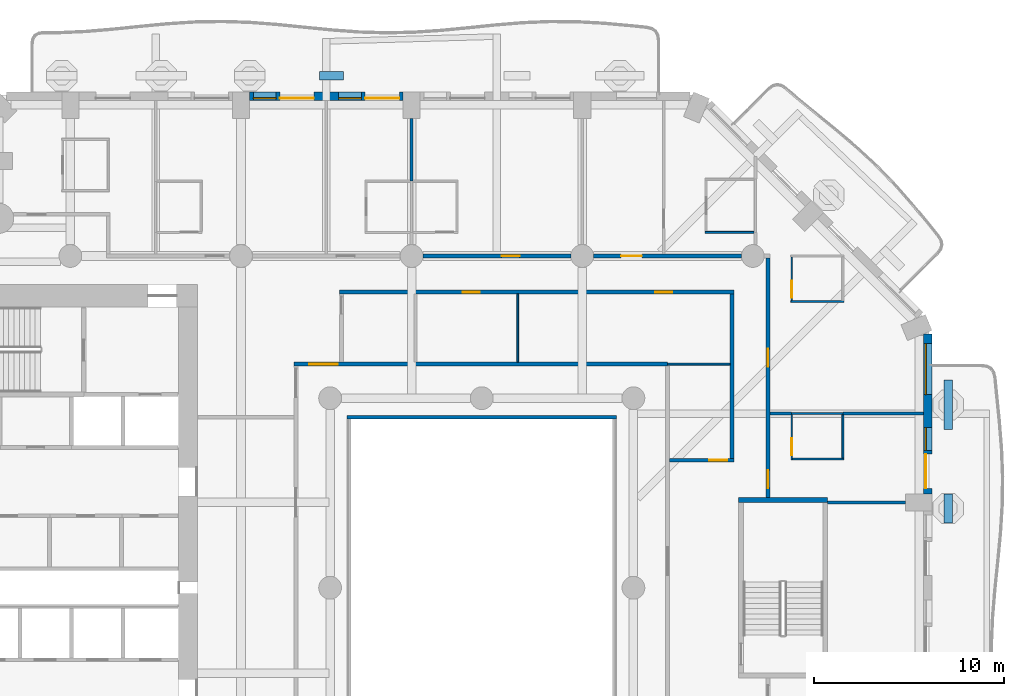
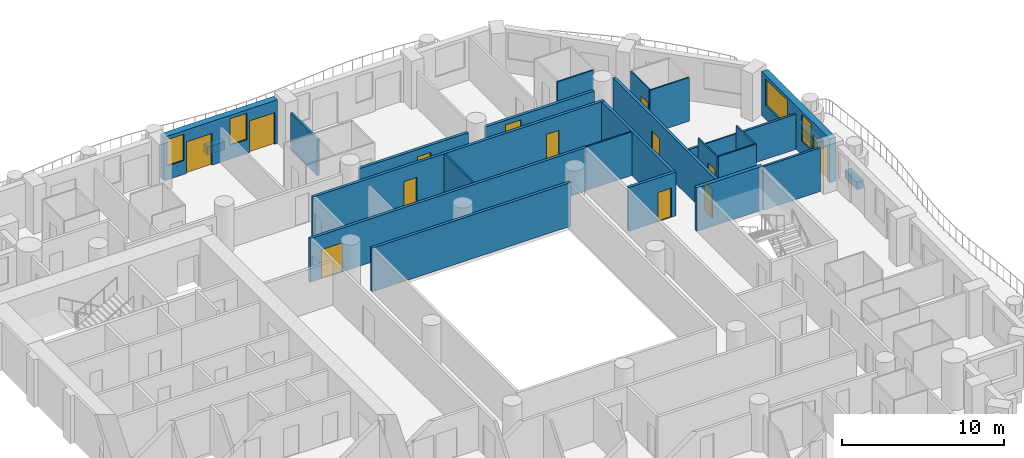
# One storey, part 9 of 20: 27 walls, 13 doors, 4 windows, 17 openings.
"""IFC4 building model written with IfcOpenShell, lengths in metres."""

from ifc_helpers import new_model, si_unit, direction, frame, frame_2d, origin, place, context, subcontext, project, spatial, rectangle, extrude, material, layer, layer_set, type_object, element, fill, save


model = new_model("IFC4")

# Units and contexts
model_context = context("Model", 3, precision=1e-05, world=origin(), true_north=direction((0.0, 1.0)))
body_context = subcontext(model_context, "Body", "Model", "MODEL_VIEW")
ifc_project = project(units=[si_unit("LENGTHUNIT", "METRE"), si_unit("AREAUNIT", "SQUARE_METRE"), si_unit("VOLUMEUNIT", "CUBIC_METRE"), si_unit("PLANEANGLEUNIT", "RADIAN"), si_unit("MASSUNIT", "GRAM", prefix="KILO")], contexts=[model_context])

# Site, building, storey
site_placement = place(None, origin())
site = spatial("IfcSite", under=ifc_project, at=site_placement, CompositionType="ELEMENT")
building_placement = place(site_placement, origin())
building = spatial("IfcBuilding", under=site, at=building_placement, Name="Cypress Arch Tower", CompositionType="ELEMENT")
storey_placement = place(building_placement, frame((0.0, 0.0, 91.5)))
storey = spatial("IfcBuildingStorey", under=building, at=storey_placement, Name="L17", CompositionType="ELEMENT", Elevation=91.5)

# Walls
ifc_material_1 = material(Name="Concrete C40/50, waterproofed", Category="concrete")
ifc_layer_1 = layer(ifc_material_1, 0.449951171875)
ifc_layer_set_1 = layer_set([ifc_layer_1], Name="Balcony planter wall PW450")
wall_type_1 = type_object("IfcWallType", Name="Balcony planter wall PW450", PredefinedType="SOLIDWALL", material=ifc_layer_set_1)
wall_1_placement = place(storey_placement, frame((25.60009765625, 3.42138671875, 0.0), z_axis=(0.0, 0.0, 1.0), x_axis=(0.0, 1.0, 0.0)))
element("IfcWall", 1, at=wall_1_placement, inside=storey, type_object=wall_type_1, Name="Balcony planter wall L17-A06.2", PredefinedType="SOLIDWALL", context=body_context, shape_type="SweptSolid", body=[
    extrude(rectangle(XDim=1.5224609375, YDim=0.449951171875, at=frame_2d((0.76123046875, 0.0))), origin(), (0.0, 0.0, 1.0), 0.60009765625),
])
wall_2_placement = place(storey_placement, frame((25.60009765625, 8.335693359375, 0.0), z_axis=(0.0, 0.0, 1.0), x_axis=(0.0, 1.0, 0.0)))
element("IfcWall", 2, at=wall_2_placement, inside=storey, type_object=wall_type_1, Name="Balcony planter wall L17-A06.3", PredefinedType="SOLIDWALL", context=body_context, shape_type="SweptSolid", body=[
    extrude(rectangle(XDim=2.6142578125, YDim=0.449951171875, at=frame_2d((1.30712890625, 0.0))), origin(), (0.0, 0.0, 1.0), 0.60009765625),
])
wall_3_placement = place(storey_placement, frame((-6.300048828125, 27.0, 0.0), z_axis=(0.0, 0.0, 1.0), x_axis=(-1.0, 0.0, 0.0)))
element("IfcWall", 3, at=wall_3_placement, inside=storey, type_object=wall_type_1, Name="Balcony planter wall L17-A08.3", PredefinedType="SOLIDWALL", context=body_context, shape_type="SweptSolid", body=[
    extrude(rectangle(XDim=1.25, YDim=0.449951171875, at=frame_2d((0.625, 0.0))), origin(), (0.0, 0.0, 1.0), 0.60009765625),
])

# Wall, openings, door, windows
ifc_material_2 = material(Name="Brick (red buff blend)", Category="masonry")
ifc_layer_2 = layer(ifc_material_2, 0.449951171875)
ifc_layer_set_2 = layer_set([ifc_layer_2], Name="Brick pier and spandrel wall BW450")
wall_type_2 = type_object("IfcWallType", Name="Brick pier and spandrel wall BW450", PredefinedType="SOLIDWALL", material=ifc_layer_set_2)
wall_4_placement = place(storey_placement, frame((24.52490234375, 4.949951171875, 0.0), z_axis=(0.0, 0.0, 1.0), x_axis=(0.0, 1.0, 0.0)))
wall_4 = element("IfcWall", 4, at=wall_4_placement, inside=storey, type_object=wall_type_2, Name="Brick wall L17 A06.3", PredefinedType="SOLIDWALL", context=body_context, shape_type="SweptSolid", body=[
    extrude(rectangle(XDim=8.438720703125, YDim=0.449951171875, at=frame_2d((4.21923828125, 0.0))), origin(), (0.0, 0.0, 1.0), 3.300048828125),
])
opening_1_placement = place(wall_4_placement, frame((0.2939453125, 0.0, 0.0)))
opening_1 = element("IfcOpeningElement", 5, at=opening_1_placement, cuts=wall_4, Name="Opening D-L17-A06.3.1", PredefinedType="OPENING", context=body_context, shape_type="SweptSolid", body=[
    extrude(rectangle(XDim=1.800048828125, YDim=2.39990234375, at=frame_2d((0.89990234375, 1.199951171875))), frame((0.0, 0.23486328125, 0.0), z_axis=(0.0, -1.0, 0.0), x_axis=(1.0, 0.0, 0.0)), (0.0, 0.0, 1.0), 0.469970703125),
])
opening_2_placement = place(wall_4_placement, frame((2.2939453125, 0.0, 1.050048828125)))
opening_2 = element("IfcOpeningElement", 6, at=opening_2_placement, cuts=wall_4, Name="Opening W120HD", PredefinedType="OPENING", context=body_context, shape_type="SweptSolid", body=[
    extrude(rectangle(XDim=1.199951171875, YDim=2.0, at=frame_2d((0.60009765625, 1.0))), frame((0.0, 0.23486328125, 0.0), z_axis=(0.0, -1.0, 0.0), x_axis=(1.0, 0.0, 0.0)), (0.0, 0.0, 1.0), 0.469970703125),
])
opening_3_placement = place(wall_4_placement, frame((5.231689453125, 0.0, 1.050048828125)))
opening_3 = element("IfcOpeningElement", 7, at=opening_3_placement, cuts=wall_4, Name="Opening W270HD", PredefinedType="OPENING", context=body_context, shape_type="SweptSolid", body=[
    extrude(rectangle(XDim=2.699951171875, YDim=2.0, at=frame_2d((1.35009765625, 1.0))), frame((0.0, 0.23486328125, 0.0), z_axis=(0.0, -1.0, 0.0), x_axis=(1.0, 0.0, 0.0)), (0.0, 0.0, 1.0), 0.469970703125),
])
ifc_material_3 = material(Name="Anodised aluminium, bronze finish, laminated low-emissivity double glazing, large-missile impact rated", Category="aluminium")
door_type_1 = type_object("IfcDoorType", Name="Balcony sliding door 1800x2400", OperationType="SLIDING_TO_LEFT", PredefinedType="DOOR", material=ifc_material_3)
door_1_placement = place(opening_1_placement, origin())
door_1 = element("IfcDoor", 8, at=door_1_placement, inside=storey, type_object=door_type_1, Name="Balcony door L17 A06.3.1", OperationType="SLIDING_TO_LEFT", OverallHeight=2.39990234375, OverallWidth=1.800048828125, PredefinedType="DOOR", context=body_context, shape_type="SweptSolid", body=[
    extrude(rectangle(XDim=1.800048828125, YDim=2.39990234375, at=frame_2d((0.89990234375, 1.199951171875))), frame((0.0, 0.1298828125, 0.0), z_axis=(0.0, -1.0, 0.0), x_axis=(1.0, 0.0, 0.0)), (0.0, 0.0, 1.0), 0.050048828125),
])
fill(opening_1, door_1)
ifc_material_4 = material(Name="Anodised aluminium, bronze finish, laminated low-emissivity double glazing, large-missile impact rated", Category="aluminium")
window_type_1 = type_object("IfcWindowType", Name="Window Hotel 1200x2000 debris-rated", PartitioningType="SINGLE_PANEL", PredefinedType="WINDOW", material=ifc_material_4)
window_1_placement = place(opening_2_placement, origin())
window_1 = element("IfcWindow", 9, at=window_1_placement, inside=storey, type_object=window_type_1, Name="Window L17 A06.3.1", OverallHeight=2.0, OverallWidth=1.199951171875, PartitioningType="SINGLE_PANEL", PredefinedType="WINDOW", context=body_context, shape_type="SweptSolid", body=[
    extrude(rectangle(XDim=1.199951171875, YDim=2.0, at=frame_2d((0.60009765625, 1.0))), frame((0.0, 0.135009765625, 0.0), z_axis=(0.0, -1.0, 0.0), x_axis=(1.0, 0.0, 0.0)), (0.0, 0.0, 1.0), 0.06005859375),
])
fill(opening_2, window_1)
ifc_material_5 = material(Name="Anodised aluminium, bronze finish, laminated low-emissivity double glazing, large-missile impact rated", Category="aluminium")
window_type_2 = type_object("IfcWindowType", Name="Window Hotel 2700x2000 debris-rated", PartitioningType="SINGLE_PANEL", PredefinedType="WINDOW", material=ifc_material_5)
window_2_placement = place(opening_3_placement, origin())
window_2 = element("IfcWindow", 10, at=window_2_placement, inside=storey, type_object=window_type_2, Name="Window L17 A06.3.2", OverallHeight=2.0, OverallWidth=2.699951171875, PartitioningType="SINGLE_PANEL", PredefinedType="WINDOW", context=body_context, shape_type="SweptSolid", body=[
    extrude(rectangle(XDim=2.699951171875, YDim=2.0, at=frame_2d((1.35009765625, 1.0))), frame((0.0, 0.135009765625, 0.0), z_axis=(0.0, -1.0, 0.0), x_axis=(1.0, 0.0, 0.0)), (0.0, 0.0, 1.0), 0.06005859375),
])
fill(opening_3, window_2)

# Wall, openings, doors, windows
wall_5_placement = place(storey_placement, frame((-3.14990234375, 25.925048828125, 0.0), z_axis=(0.0, 0.0, 1.0), x_axis=(-1.0, 0.0, 0.0)))
wall_5 = element("IfcWall", 11, at=wall_5_placement, inside=storey, type_object=wall_type_2, Name="Brick wall L17 A08.2", PredefinedType="SOLIDWALL", context=body_context, shape_type="SweptSolid", body=[
    extrude(rectangle(XDim=8.10009765625, YDim=0.449951171875, at=frame_2d((4.050048828125, 0.0))), origin(), (0.0, 0.0, 1.0), 3.300048828125),
])
opening_4_placement = place(wall_5_placement, frame((0.199951171875, 0.0, 0.0)))
opening_4 = element("IfcOpeningElement", 12, at=opening_4_placement, cuts=wall_5, Name="Opening D-L17-A08.2.1", PredefinedType="OPENING", context=body_context, shape_type="SweptSolid", body=[
    extrude(rectangle(XDim=1.800048828125, YDim=2.39990234375, at=frame_2d((0.89990234375, 1.199951171875))), frame((0.0, 0.23486328125, 0.0), z_axis=(0.0, -1.0, 0.0), x_axis=(1.0, 0.0, 0.0)), (0.0, 0.0, 1.0), 0.469970703125),
])
opening_5_placement = place(wall_5_placement, frame((2.199951171875, 0.0, 1.050048828125)))
opening_5 = element("IfcOpeningElement", 13, at=opening_5_placement, cuts=wall_5, Name="Opening W120HD", PredefinedType="OPENING", context=body_context, shape_type="SweptSolid", body=[
    extrude(rectangle(XDim=1.199951171875, YDim=2.0, at=frame_2d((0.60009765625, 1.0))), frame((0.0, 0.23486328125, 0.0), z_axis=(0.0, -1.0, 0.0), x_axis=(1.0, 0.0, 0.0)), (0.0, 0.0, 1.0), 0.469970703125),
])
opening_6_placement = place(wall_5_placement, frame((4.699951171875, 0.0, 0.0)))
opening_6 = element("IfcOpeningElement", 14, at=opening_6_placement, cuts=wall_5, Name="Opening D-L17-A08.2.2", PredefinedType="OPENING", context=body_context, shape_type="SweptSolid", body=[
    extrude(rectangle(XDim=1.800048828125, YDim=2.39990234375, at=frame_2d((0.89990234375, 1.199951171875))), frame((0.0, 0.23486328125, 0.0), z_axis=(0.0, -1.0, 0.0), x_axis=(1.0, 0.0, 0.0)), (0.0, 0.0, 1.0), 0.469970703125),
])
opening_7_placement = place(wall_5_placement, frame((6.699951171875, 0.0, 1.050048828125)))
opening_7 = element("IfcOpeningElement", 15, at=opening_7_placement, cuts=wall_5, Name="Opening W120HD", PredefinedType="OPENING", context=body_context, shape_type="SweptSolid", body=[
    extrude(rectangle(XDim=1.199951171875, YDim=2.0, at=frame_2d((0.60009765625, 1.0))), frame((0.0, 0.23486328125, 0.0), z_axis=(0.0, -1.0, 0.0), x_axis=(1.0, 0.0, 0.0)), (0.0, 0.0, 1.0), 0.469970703125),
])
door_2_placement = place(opening_4_placement, origin())
door_2 = element("IfcDoor", 16, at=door_2_placement, inside=storey, type_object=door_type_1, Name="Balcony door L17 A08.2.1", OperationType="SLIDING_TO_LEFT", OverallHeight=2.39990234375, OverallWidth=1.800048828125, PredefinedType="DOOR", context=body_context, shape_type="SweptSolid", body=[
    extrude(rectangle(XDim=1.800048828125, YDim=2.39990234375, at=frame_2d((0.89990234375, 1.199951171875))), frame((0.0, 0.1298828125, 0.0), z_axis=(0.0, -1.0, 0.0), x_axis=(1.0, 0.0, 0.0)), (0.0, 0.0, 1.0), 0.050048828125),
])
fill(opening_4, door_2)
door_3_placement = place(opening_6_placement, origin())
door_3 = element("IfcDoor", 17, at=door_3_placement, inside=storey, type_object=door_type_1, Name="Balcony door L17 A08.2.2", OperationType="SLIDING_TO_LEFT", OverallHeight=2.39990234375, OverallWidth=1.800048828125, PredefinedType="DOOR", context=body_context, shape_type="SweptSolid", body=[
    extrude(rectangle(XDim=1.800048828125, YDim=2.39990234375, at=frame_2d((0.89990234375, 1.199951171875))), frame((0.0, 0.1298828125, 0.0), z_axis=(0.0, -1.0, 0.0), x_axis=(1.0, 0.0, 0.0)), (0.0, 0.0, 1.0), 0.050048828125),
])
fill(opening_6, door_3)
window_3_placement = place(opening_5_placement, origin())
window_3 = element("IfcWindow", 18, at=window_3_placement, inside=storey, type_object=window_type_1, Name="Window L17 A08.2.1", OverallHeight=2.0, OverallWidth=1.199951171875, PartitioningType="SINGLE_PANEL", PredefinedType="WINDOW", context=body_context, shape_type="SweptSolid", body=[
    extrude(rectangle(XDim=1.199951171875, YDim=2.0, at=frame_2d((0.60009765625, 1.0))), frame((0.0, 0.135009765625, 0.0), z_axis=(0.0, -1.0, 0.0), x_axis=(1.0, 0.0, 0.0)), (0.0, 0.0, 1.0), 0.06005859375),
])
fill(opening_5, window_3)
window_4_placement = place(opening_7_placement, origin())
window_4 = element("IfcWindow", 19, at=window_4_placement, inside=storey, type_object=window_type_1, Name="Window L17 A08.2.2", OverallHeight=2.0, OverallWidth=1.199951171875, PartitioningType="SINGLE_PANEL", PredefinedType="WINDOW", context=body_context, shape_type="SweptSolid", body=[
    extrude(rectangle(XDim=1.199951171875, YDim=2.0, at=frame_2d((0.60009765625, 1.0))), frame((0.0, 0.135009765625, 0.0), z_axis=(0.0, -1.0, 0.0), x_axis=(1.0, 0.0, 0.0)), (0.0, 0.0, 1.0), 0.06005859375),
])
fill(opening_7, window_4)

# Wall, opening, door
ifc_material_6 = material(Name="Concrete blockwork, plastered, rated", Category="masonry")
ifc_layer_3 = layer(ifc_material_6, 0.199951171875)
ifc_layer_set_3 = layer_set([ifc_layer_3], Name="Corridor wall FW200")
wall_type_3 = type_object("IfcWallType", Name="Corridor wall FW200", PredefinedType="PARTITIONING", material=ifc_layer_set_3)
wall_6_placement = place(storey_placement, frame((-2.10009765625, 17.5, 0.0), z_axis=(0.0, 0.0, 1.0), x_axis=(1.0, 0.0, 0.0)))
wall_6 = element("IfcWall", 20, at=wall_6_placement, inside=storey, type_object=wall_type_3, Name="Corridor wall", PredefinedType="PARTITIONING", context=body_context, shape_type="SweptSolid", body=[
    extrude(rectangle(XDim=7.800048828125, YDim=0.199951171875, at=frame_2d((3.89990234375, 0.0))), origin(), (0.0, 0.0, 1.0), 2.75),
])
opening_8_placement = place(wall_6_placement, frame((4.14990234375, 0.0, 0.0)))
opening_8 = element("IfcOpeningElement", 21, at=opening_8_placement, cuts=wall_6, Name="Opening D02", PredefinedType="OPENING", context=body_context, shape_type="SweptSolid", body=[
    extrude(rectangle(XDim=0.949951171875, YDim=2.199951171875, at=frame_2d((0.47509765625, 1.10009765625))), frame((0.0, 0.10986328125, 0.0), z_axis=(0.0, -1.0, 0.0), x_axis=(1.0, 0.0, 0.0)), (0.0, 0.0, 1.0), 0.219970703125),
])
ifc_material_7 = material(Name="Timber flush door, fire resisting", Category="wood")
door_type_2 = type_object("IfcDoorType", Name="Room door D02 950x2200", OperationType="SINGLE_SWING_LEFT", PredefinedType="DOOR", material=ifc_material_7)
door_4_placement = place(opening_8_placement, origin())
door_4 = element("IfcDoor", 22, at=door_4_placement, inside=storey, type_object=door_type_2, Name="Room door", OperationType="SINGLE_SWING_RIGHT", OverallHeight=2.199951171875, OverallWidth=0.949951171875, PredefinedType="DOOR", context=body_context, shape_type="SweptSolid", body=[
    extrude(rectangle(XDim=0.949951171875, YDim=2.199951171875, at=frame_2d((0.47509765625, 1.10009765625))), frame((0.0, 0.02490234375, 0.0), z_axis=(0.0, -1.0, 0.0), x_axis=(1.0, 0.0, 0.0)), (0.0, 0.0, 1.0), 0.050048828125),
])
fill(opening_8, door_4)

wall_7_placement = place(storey_placement, frame((6.89990234375, 17.5, 0.0), z_axis=(0.0, 0.0, 1.0), x_axis=(1.0, 0.0, 0.0)))
wall_7 = element("IfcWall", 23, at=wall_7_placement, inside=storey, type_object=wall_type_3, Name="Corridor wall", PredefinedType="PARTITIONING", context=body_context, shape_type="SweptSolid", body=[
    extrude(rectangle(XDim=7.800048828125, YDim=0.199951171875, at=frame_2d((3.89990234375, 0.0))), origin(), (0.0, 0.0, 1.0), 2.75),
])
opening_9_placement = place(wall_7_placement, frame((1.449951171875, 0.0, 0.0)))
opening_9 = element("IfcOpeningElement", 24, at=opening_9_placement, cuts=wall_7, Name="Opening D01", PredefinedType="OPENING", context=body_context, shape_type="SweptSolid", body=[
    extrude(rectangle(XDim=1.10009765625, YDim=2.39990234375, at=frame_2d((0.550048828125, 1.199951171875))), frame((0.0, 0.10986328125, 0.0), z_axis=(0.0, -1.0, 0.0), x_axis=(1.0, 0.0, 0.0)), (0.0, 0.0, 1.0), 0.219970703125),
])
ifc_material_8 = material(Name="Timber flush door, fire resisting, self-closing", Category="wood")
door_type_3 = type_object("IfcDoorType", Name="Unit entrance door D01 1100x2400", OperationType="SINGLE_SWING_LEFT", PredefinedType="DOOR", material=ifc_material_8)
door_5_placement = place(opening_9_placement, origin())
door_5 = element("IfcDoor", 25, at=door_5_placement, inside=storey, type_object=door_type_3, Name="Unit entrance door", OperationType="SINGLE_SWING_RIGHT", OverallHeight=2.39990234375, OverallWidth=1.10009765625, PredefinedType="DOOR", context=body_context, shape_type="SweptSolid", body=[
    extrude(rectangle(XDim=1.10009765625, YDim=2.39990234375, at=frame_2d((0.550048828125, 1.199951171875))), frame((0.0, 0.02490234375, 0.0), z_axis=(0.0, -1.0, 0.0), x_axis=(1.0, 0.0, 0.0)), (0.0, 0.0, 1.0), 0.050048828125),
])
fill(opening_9, door_5)

wall_8_placement = place(storey_placement, frame((-8.89990234375, 11.800048828125, 0.0), z_axis=(0.0, 0.0, 1.0), x_axis=(1.0, 0.0, 0.0)))
wall_8 = element("IfcWall", 26, at=wall_8_placement, inside=storey, type_object=wall_type_3, Name="Corridor wall", PredefinedType="PARTITIONING", context=body_context, shape_type="SweptSolid", body=[
    extrude(rectangle(XDim=19.699951171875, YDim=0.199951171875, at=frame_2d((9.85009765625, 0.0))), origin(), (0.0, 0.0, 1.0), 3.300048828125),
])
opening_10_placement = place(wall_8_placement, frame((0.800048828125, 0.0, 0.0)))
opening_10 = element("IfcOpeningElement", 27, at=opening_10_placement, cuts=wall_8, Name="Opening D04", PredefinedType="OPENING", context=body_context, shape_type="SweptSolid", body=[
    extrude(rectangle(XDim=1.5, YDim=2.199951171875, at=frame_2d((0.75, 1.10009765625))), frame((0.0, 0.10986328125, 0.0), z_axis=(0.0, -1.0, 0.0), x_axis=(1.0, 0.0, 0.0)), (0.0, 0.0, 1.0), 0.219970703125),
])
ifc_material_9 = material(Name="Timber double door", Category="wood")
door_type_4 = type_object("IfcDoorType", Name="Double door D04 1500x2200", OperationType="DOUBLE_DOOR_SINGLE_SWING", PredefinedType="DOOR", material=ifc_material_9)
door_6_placement = place(opening_10_placement, origin())
door_6 = element("IfcDoor", 28, at=door_6_placement, inside=storey, type_object=door_type_4, Name="Double door", OperationType="DOUBLE_DOOR_SINGLE_SWING", OverallHeight=2.199951171875, OverallWidth=1.5, PredefinedType="DOOR", context=body_context, shape_type="SweptSolid", body=[
    extrude(rectangle(XDim=1.5, YDim=2.199951171875, at=frame_2d((0.75, 1.10009765625))), frame((0.0, 0.02490234375, 0.0), z_axis=(0.0, -1.0, 0.0), x_axis=(1.0, 0.0, 0.0)), (0.0, 0.0, 1.0), 0.050048828125),
])
fill(opening_10, door_6)

# Wall, openings, doors
wall_9_placement = place(storey_placement, frame((-6.5, 15.60009765625, 0.0), z_axis=(0.0, 0.0, 1.0), x_axis=(1.0, 0.0, 0.0)))
wall_9 = element("IfcWall", 29, at=wall_9_placement, inside=storey, type_object=wall_type_3, Name="Corridor wall", PredefinedType="PARTITIONING", context=body_context, shape_type="SweptSolid", body=[
    extrude(rectangle(XDim=20.800048828125, YDim=0.199951171875, at=frame_2d((10.39990234375, 0.0))), origin(), (0.0, 0.0, 1.0), 3.300048828125),
])
opening_11_placement = place(wall_9_placement, frame((6.5, 0.0, 0.0)))
opening_11 = element("IfcOpeningElement", 30, at=opening_11_placement, cuts=wall_9, Name="Opening D05", PredefinedType="OPENING", context=body_context, shape_type="SweptSolid", body=[
    extrude(rectangle(XDim=0.89990234375, YDim=2.199951171875, at=frame_2d((0.449951171875, 1.10009765625))), frame((0.0, 0.10986328125, 0.0), z_axis=(0.0, -1.0, 0.0), x_axis=(1.0, 0.0, 0.0)), (0.0, 0.0, 1.0), 0.219970703125),
])
opening_12_placement = place(wall_9_placement, frame((16.64990234375, 0.0, 0.0)))
opening_12 = element("IfcOpeningElement", 31, at=opening_12_placement, cuts=wall_9, Name="Opening D03", PredefinedType="OPENING", context=body_context, shape_type="SweptSolid", body=[
    extrude(rectangle(XDim=0.89990234375, YDim=2.199951171875, at=frame_2d((0.449951171875, 1.10009765625))), frame((0.0, 0.10986328125, 0.0), z_axis=(0.0, -1.0, 0.0), x_axis=(1.0, 0.0, 0.0)), (0.0, 0.0, 1.0), 0.219970703125),
])
ifc_material_10 = material(Name="Timber flush door, moisture resistant", Category="wood")
door_type_5 = type_object("IfcDoorType", Name="Bathroom door D03 900x2200", OperationType="SINGLE_SWING_LEFT", PredefinedType="DOOR", material=ifc_material_10)
door_7_placement = place(opening_12_placement, origin())
door_7 = element("IfcDoor", 32, at=door_7_placement, inside=storey, type_object=door_type_5, Name="Bathroom door", OperationType="SINGLE_SWING_LEFT", OverallHeight=2.199951171875, OverallWidth=0.89990234375, PredefinedType="DOOR", context=body_context, shape_type="SweptSolid", body=[
    extrude(rectangle(XDim=0.89990234375, YDim=2.199951171875, at=frame_2d((0.449951171875, 1.10009765625))), frame((0.0, 0.02490234375, 0.0), z_axis=(0.0, -1.0, 0.0), x_axis=(1.0, 0.0, 0.0)), (0.0, 0.0, 1.0), 0.050048828125),
])
fill(opening_12, door_7)
ifc_material_11 = material(Name="Timber flush door", Category="wood")
door_type_6 = type_object("IfcDoorType", Name="Service door D05 900x2200", OperationType="SINGLE_SWING_LEFT", PredefinedType="DOOR", material=ifc_material_11)
door_8_placement = place(opening_11_placement, origin())
door_8 = element("IfcDoor", 33, at=door_8_placement, inside=storey, type_object=door_type_6, Name="Service door", OperationType="SINGLE_SWING_LEFT", OverallHeight=2.199951171875, OverallWidth=0.89990234375, PredefinedType="DOOR", context=body_context, shape_type="SweptSolid", body=[
    extrude(rectangle(XDim=0.89990234375, YDim=2.199951171875, at=frame_2d((0.449951171875, 1.10009765625))), frame((0.0, 0.02490234375, 0.0), z_axis=(0.0, -1.0, 0.0), x_axis=(1.0, 0.0, 0.0)), (0.0, 0.0, 1.0), 0.050048828125),
])
fill(opening_11, door_8)

# Wall
wall_10_placement = place(storey_placement, frame((-6.10009765625, 9.0, 0.0), z_axis=(0.0, 0.0, 1.0), x_axis=(1.0, 0.0, 0.0)))
element("IfcWall", 34, at=wall_10_placement, inside=storey, type_object=wall_type_3, Name="Corridor wall", PredefinedType="PARTITIONING", context=body_context, shape_type="SweptSolid", body=[
    extrude(rectangle(XDim=14.2001953125, YDim=0.199951171875, at=frame_2d((7.10009765625, 0.0))), origin(), (0.0, 0.0, 1.0), 3.300048828125),
])

# Wall, opening, door
wall_11_placement = place(storey_placement, frame((10.89990234375, 6.72509765625, 0.0), z_axis=(0.0, 0.0, 1.0), x_axis=(1.0, 0.0, 0.0)))
wall_11 = element("IfcWall", 35, at=wall_11_placement, inside=storey, type_object=wall_type_3, Name="Corridor wall", PredefinedType="PARTITIONING", context=body_context, shape_type="SweptSolid", body=[
    extrude(rectangle(XDim=3.400146484375, YDim=0.199951171875, at=frame_2d((1.7001953125, 0.0))), origin(), (0.0, 0.0, 1.0), 3.300048828125),
])
opening_13_placement = place(wall_11_placement, frame((2.10009765625, 0.0, 0.0)))
opening_13 = element("IfcOpeningElement", 36, at=opening_13_placement, cuts=wall_11, Name="Opening D02", PredefinedType="OPENING", context=body_context, shape_type="SweptSolid", body=[
    extrude(rectangle(XDim=0.949951171875, YDim=2.199951171875, at=frame_2d((0.47509765625, 1.10009765625))), frame((0.0, 0.10986328125, 0.0), z_axis=(0.0, -1.0, 0.0), x_axis=(1.0, 0.0, 0.0)), (0.0, 0.0, 1.0), 0.219970703125),
])
door_9_placement = place(opening_13_placement, origin())
door_9 = element("IfcDoor", 37, at=door_9_placement, inside=storey, type_object=door_type_2, Name="Room door", OperationType="SINGLE_SWING_RIGHT", OverallHeight=2.199951171875, OverallWidth=0.949951171875, PredefinedType="DOOR", context=body_context, shape_type="SweptSolid", body=[
    extrude(rectangle(XDim=0.949951171875, YDim=2.199951171875, at=frame_2d((0.47509765625, 1.10009765625))), frame((0.0, 0.02490234375, 0.0), z_axis=(0.0, -1.0, 0.0), x_axis=(1.0, 0.0, 0.0)), (0.0, 0.0, 1.0), 0.050048828125),
])
fill(opening_13, door_9)

# Wall
wall_12_placement = place(storey_placement, frame((14.199951171875, 6.824951171875, 0.0), z_axis=(0.0, 0.0, 1.0), x_axis=(0.0, 1.0, 0.0)))
element("IfcWall", 38, at=wall_12_placement, inside=storey, type_object=wall_type_3, Name="Corridor wall", PredefinedType="PARTITIONING", context=body_context, shape_type="SweptSolid", body=[
    extrude(rectangle(XDim=8.675048828125, YDim=0.199951171875, at=frame_2d((4.33740234375, 0.0))), origin(), (0.0, 0.0, 1.0), 3.300048828125),
])

# Wall, openings, doors
wall_13_placement = place(storey_placement, frame((16.10009765625, 4.75, 0.0), z_axis=(0.0, 0.0, 1.0), x_axis=(0.0, 1.0, 0.0)))
wall_13 = element("IfcWall", 39, at=wall_13_placement, inside=storey, type_object=wall_type_3, Name="Corridor wall", PredefinedType="PARTITIONING", context=body_context, shape_type="SweptSolid", body=[
    extrude(rectangle(XDim=12.64990234375, YDim=0.199951171875, at=frame_2d((6.324951171875, 0.0))), origin(), (0.0, 0.0, 1.0), 3.300048828125),
])
opening_14_placement = place(wall_13_placement, frame((0.5, 0.0, 0.0)))
opening_14 = element("IfcOpeningElement", 40, at=opening_14_placement, cuts=wall_13, Name="Opening D02", PredefinedType="OPENING", context=body_context, shape_type="SweptSolid", body=[
    extrude(rectangle(XDim=0.949951171875, YDim=2.199951171875, at=frame_2d((0.47509765625, 1.10009765625))), frame((0.0, 0.10986328125, 0.0), z_axis=(0.0, -1.0, 0.0), x_axis=(1.0, 0.0, 0.0)), (0.0, 0.0, 1.0), 0.219970703125),
])
opening_15_placement = place(wall_13_placement, frame((6.89990234375, 0.0, 0.0)))
opening_15 = element("IfcOpeningElement", 41, at=opening_15_placement, cuts=wall_13, Name="Opening D02", PredefinedType="OPENING", context=body_context, shape_type="SweptSolid", body=[
    extrude(rectangle(XDim=0.949951171875, YDim=2.199951171875, at=frame_2d((0.47509765625, 1.10009765625))), frame((0.0, 0.10986328125, 0.0), z_axis=(0.0, -1.0, 0.0), x_axis=(1.0, 0.0, 0.0)), (0.0, 0.0, 1.0), 0.219970703125),
])
door_10_placement = place(opening_14_placement, origin())
door_10 = element("IfcDoor", 42, at=door_10_placement, inside=storey, type_object=door_type_2, Name="Room door", OperationType="SINGLE_SWING_RIGHT", OverallHeight=2.199951171875, OverallWidth=0.949951171875, PredefinedType="DOOR", context=body_context, shape_type="SweptSolid", body=[
    extrude(rectangle(XDim=0.949951171875, YDim=2.199951171875, at=frame_2d((0.47509765625, 1.10009765625))), frame((0.0, 0.02490234375, 0.0), z_axis=(0.0, -1.0, 0.0), x_axis=(1.0, 0.0, 0.0)), (0.0, 0.0, 1.0), 0.050048828125),
])
fill(opening_14, door_10)
door_11_placement = place(opening_15_placement, origin())
door_11 = element("IfcDoor", 43, at=door_11_placement, inside=storey, type_object=door_type_2, Name="Room door", OperationType="SINGLE_SWING_RIGHT", OverallHeight=2.199951171875, OverallWidth=0.949951171875, PredefinedType="DOOR", context=body_context, shape_type="SweptSolid", body=[
    extrude(rectangle(XDim=0.949951171875, YDim=2.199951171875, at=frame_2d((0.47509765625, 1.10009765625))), frame((0.0, 0.02490234375, 0.0), z_axis=(0.0, -1.0, 0.0), x_axis=(1.0, 0.0, 0.0)), (0.0, 0.0, 1.0), 0.050048828125),
])
fill(opening_15, door_11)

# Walls
ifc_material_12 = material(Name="Blockwork, plastered both sides", Category="masonry")
ifc_layer_4 = layer(ifc_material_12, 0.14990234375)
ifc_layer_set_4 = layer_set([ifc_layer_4], Name="Partition PW150")
wall_type_4 = type_object("IfcWallType", Name="Partition PW150", PredefinedType="PARTITIONING", material=ifc_layer_set_4)
wall_14_placement = place(storey_placement, frame((-2.699951171875, 21.449951171875, 0.0), z_axis=(0.0, 0.0, 1.0), x_axis=(0.0, 1.0, 0.0)))
element("IfcWall", 44, at=wall_14_placement, inside=storey, type_object=wall_type_4, Name="Partition", PredefinedType="PARTITIONING", context=body_context, shape_type="SweptSolid", body=[
    extrude(rectangle(XDim=3.300048828125, YDim=0.14990234375, at=frame_2d((1.64990234375, 0.0))), origin(), (0.0, 0.0, 1.0), 2.75),
])
wall_15_placement = place(storey_placement, frame((16.199951171875, 9.18994140625, 0.0), z_axis=(0.0, 0.0, 1.0), x_axis=(1.0, 0.0, 0.0)))
element("IfcWall", 45, at=wall_15_placement, inside=storey, type_object=wall_type_4, Name="Partition", PredefinedType="PARTITIONING", context=body_context, shape_type="SweptSolid", body=[
    extrude(rectangle(XDim=1.130126953125, YDim=0.14990234375, at=frame_2d((0.56494140625, 0.0))), origin(), (0.0, 0.0, 1.0), 2.64990234375),
])
wall_16_placement = place(storey_placement, frame((19.25, 4.5, 0.0), z_axis=(0.0, 0.0, 1.0), x_axis=(1.0, 0.0, 0.0)))
element("IfcWall", 46, at=wall_16_placement, inside=storey, type_object=wall_type_4, Name="Partition", PredefinedType="PARTITIONING", context=body_context, shape_type="SweptSolid", body=[
    extrude(rectangle(XDim=4.10009765625, YDim=0.14990234375, at=frame_2d((2.050048828125, 0.0))), origin(), (0.0, 0.0, 1.0), 3.300048828125),
])
wall_17_placement = place(storey_placement, frame((20.050048828125, 9.18994140625, 0.0), z_axis=(0.0, 0.0, 1.0), x_axis=(1.0, 0.0, 0.0)))
element("IfcWall", 47, at=wall_17_placement, inside=storey, type_object=wall_type_4, Name="Partition", PredefinedType="PARTITIONING", context=body_context, shape_type="SweptSolid", body=[
    extrude(rectangle(XDim=4.25, YDim=0.14990234375, at=frame_2d((2.125, 0.0))), origin(), (0.0, 0.0, 1.0), 2.64990234375),
])
ifc_material_13 = material(Name="Concrete C50/60", Category="concrete")
ifc_layer_5 = layer(ifc_material_13, 0.25)
ifc_layer_set_5 = layer_set([ifc_layer_5], Name="Stair enclosure wall SW250")
wall_type_5 = type_object("IfcWallType", Name="Stair enclosure wall SW250", PredefinedType="SHEAR", material=ifc_layer_set_5)
wall_18_placement = place(storey_placement, frame((14.550048828125, 4.625, 0.0), z_axis=(0.0, 0.0, 1.0), x_axis=(1.0, 0.0, 0.0)))
element("IfcWall", 48, at=wall_18_placement, inside=storey, type_object=wall_type_5, Name="Stair enclosure wall", PredefinedType="SHEAR", context=body_context, shape_type="SweptSolid", body=[
    extrude(rectangle(XDim=4.699951171875, YDim=0.25, at=frame_2d((2.35009765625, 0.0))), origin(), (0.0, 0.0, 1.0), 3.300048828125),
])
ifc_material_14 = material(Name="Moisture resistant board on steel studs, tiled", Category="steel")
ifc_layer_6 = layer(ifc_material_14, 0.10009765625)
ifc_layer_set_6 = layer_set([ifc_layer_6], Name="Wet wall PW100")
wall_type_6 = type_object("IfcWallType", Name="Wet wall PW100", PredefinedType="PARTITIONING", material=ifc_layer_set_6)
wall_19_placement = place(storey_placement, frame((2.89990234375, 11.89990234375, 0.0), z_axis=(0.0, 0.0, 1.0), x_axis=(0.0, 1.0, 0.0)))
element("IfcWall", 49, at=wall_19_placement, inside=storey, type_object=wall_type_6, Name="Wet wall", PredefinedType="PARTITIONING", context=body_context, shape_type="SweptSolid", body=[
    extrude(rectangle(XDim=3.60009765625, YDim=0.10009765625, at=frame_2d((1.800048828125, 0.0))), origin(), (0.0, 0.0, 1.0), 3.300048828125),
])
wall_20_placement = place(storey_placement, frame((10.800048828125, 11.800048828125, 0.0), z_axis=(0.0, 0.0, 1.0), x_axis=(1.0, 0.0, 0.0)))
element("IfcWall", 50, at=wall_20_placement, inside=storey, type_object=wall_type_6, Name="Wet wall", PredefinedType="PARTITIONING", context=body_context, shape_type="SweptSolid", body=[
    extrude(rectangle(XDim=3.300048828125, YDim=0.10009765625, at=frame_2d((1.64990234375, 0.0))), origin(), (0.0, 0.0, 1.0), 3.300048828125),
])
wall_21_placement = place(storey_placement, frame((12.785888671875, 18.75, 0.0), z_axis=(0.0, 0.0, 1.0), x_axis=(1.0, 0.0, 0.0)))
element("IfcWall", 51, at=wall_21_placement, inside=storey, type_object=wall_type_6, Name="Wet wall", PredefinedType="PARTITIONING", context=body_context, shape_type="SweptSolid", body=[
    extrude(rectangle(XDim=2.571044921875, YDim=0.10009765625, at=frame_2d((1.28564453125, 0.0))), origin(), (0.0, 0.0, 1.0), 3.300048828125),
])
wall_22_placement = place(storey_placement, frame((17.330078125, 9.18994140625, 0.0), z_axis=(0.0, 0.0, 1.0), x_axis=(1.0, 0.0, 0.0)))
element("IfcWall", 52, at=wall_22_placement, inside=storey, type_object=wall_type_6, Name="Wet wall", PredefinedType="PARTITIONING", context=body_context, shape_type="SweptSolid", body=[
    extrude(rectangle(XDim=2.719970703125, YDim=0.10009765625, at=frame_2d((1.35986328125, 0.0))), origin(), (0.0, 0.0, 1.0), 2.64990234375),
])

# Wall, opening, door
wall_23_placement = place(storey_placement, frame((17.35009765625, 9.139892578125, 0.0), z_axis=(0.0, 0.0, 1.0), x_axis=(0.000407580973, -0.999999916939, 0.0)))
wall_23 = element("IfcWall", 53, at=wall_23_placement, inside=storey, type_object=wall_type_6, Name="Wet wall", PredefinedType="PARTITIONING", context=body_context, shape_type="SweptSolid", body=[
    extrude(rectangle(XDim=2.39599609375, YDim=0.10009765625, at=frame_2d((1.197998046875, 0.0))), origin(), (0.0, 0.0, 1.0), 3.300048828125),
])
opening_16_placement = place(wall_23_placement, frame((1.25, 0.0, 0.0)))
opening_16 = element("IfcOpeningElement", 54, at=opening_16_placement, cuts=wall_23, Name="Opening D03", PredefinedType="OPENING", context=body_context, shape_type="SweptSolid", body=[
    extrude(rectangle(XDim=0.89990234375, YDim=2.199951171875, at=frame_2d((0.449951171875, 1.10009765625))), frame((0.0, 0.06005859375, 0.0), z_axis=(0.0, -1.0, 0.0), x_axis=(1.0, 0.0, 0.0)), (0.0, 0.0, 1.0), 0.1201171875),
])
door_12_placement = place(opening_16_placement, origin())
door_12 = element("IfcDoor", 55, at=door_12_placement, inside=storey, type_object=door_type_5, Name="Bathroom door", OperationType="SINGLE_SWING_RIGHT", OverallHeight=2.199951171875, OverallWidth=0.89990234375, PredefinedType="DOOR", context=body_context, shape_type="SweptSolid", body=[
    extrude(rectangle(XDim=0.89990234375, YDim=2.199951171875, at=frame_2d((0.449951171875, 1.10009765625))), frame((0.0, 0.02490234375, 0.0), z_axis=(0.0, -1.0, 0.0), x_axis=(1.0, 0.0, 0.0)), (0.0, 0.0, 1.0), 0.050048828125),
])
fill(opening_16, door_12)

wall_24_placement = place(storey_placement, frame((17.35009765625, 15.14990234375, 0.0), z_axis=(0.0, 0.0, 1.0), x_axis=(0.0, 1.0, 0.0)))
wall_24 = element("IfcWall", 56, at=wall_24_placement, inside=storey, type_object=wall_type_6, Name="Wet wall", PredefinedType="PARTITIONING", context=body_context, shape_type="SweptSolid", body=[
    extrude(rectangle(XDim=2.300048828125, YDim=0.10009765625, at=frame_2d((1.14990234375, 0.0))), origin(), (0.0, 0.0, 1.0), 3.300048828125),
])
opening_17_placement = place(wall_24_placement, frame((0.14990234375, 0.0, 0.0)))
opening_17 = element("IfcOpeningElement", 57, at=opening_17_placement, cuts=wall_24, Name="Opening D03", PredefinedType="OPENING", context=body_context, shape_type="SweptSolid", body=[
    extrude(rectangle(XDim=0.89990234375, YDim=2.199951171875, at=frame_2d((0.449951171875, 1.10009765625))), frame((0.0, 0.06005859375, 0.0), z_axis=(0.0, -1.0, 0.0), x_axis=(1.0, 0.0, 0.0)), (0.0, 0.0, 1.0), 0.1201171875),
])
door_13_placement = place(opening_17_placement, origin())
door_13 = element("IfcDoor", 58, at=door_13_placement, inside=storey, type_object=door_type_5, Name="Bathroom door", OperationType="SINGLE_SWING_RIGHT", OverallHeight=2.199951171875, OverallWidth=0.89990234375, PredefinedType="DOOR", context=body_context, shape_type="SweptSolid", body=[
    extrude(rectangle(XDim=0.89990234375, YDim=2.199951171875, at=frame_2d((0.449951171875, 1.10009765625))), frame((0.0, 0.02490234375, 0.0), z_axis=(0.0, -1.0, 0.0), x_axis=(1.0, 0.0, 0.0)), (0.0, 0.0, 1.0), 0.050048828125),
])
fill(opening_17, door_13)

# Walls
wall_25_placement = place(storey_placement, frame((17.300048828125, 15.10009765625, 0.0), z_axis=(0.0, 0.0, 1.0), x_axis=(1.0, 0.0, 0.0)))
element("IfcWall", 59, at=wall_25_placement, inside=storey, type_object=wall_type_6, Name="Wet wall", PredefinedType="PARTITIONING", context=body_context, shape_type="SweptSolid", body=[
    extrude(rectangle(XDim=2.800048828125, YDim=0.10009765625, at=frame_2d((1.39990234375, 0.0))), origin(), (0.0, 0.0, 1.0), 3.300048828125),
])
wall_26_placement = place(storey_placement, frame((17.40087890625, 6.7939453125, 0.0), z_axis=(0.0, 0.0, 1.0), x_axis=(0.9999999346, 0.000361663629, 0.0)))
element("IfcWall", 60, at=wall_26_placement, inside=storey, type_object=wall_type_6, Name="Wet wall", PredefinedType="PARTITIONING", context=body_context, shape_type="SweptSolid", body=[
    extrude(rectangle(XDim=2.7001953125, YDim=0.10009765625, at=frame_2d((1.35009765625, 0.0))), origin(), (0.0, 0.0, 1.0), 3.300048828125),
])
wall_27_placement = place(storey_placement, frame((20.050048828125, 9.114990234375, 0.0), z_axis=(0.0, 0.0, 1.0), x_axis=(0.000430200003, -0.999999907464, 0.0)))
element("IfcWall", 61, at=wall_27_placement, inside=storey, type_object=wall_type_6, Name="Wet wall", PredefinedType="PARTITIONING", context=body_context, shape_type="SweptSolid", body=[
    extrude(rectangle(XDim=2.27001953125, YDim=0.10009765625, at=frame_2d((1.135009765625, 0.0))), origin(), (0.0, 0.0, 1.0), 3.300048828125),
])

save(model, "model.ifc")
